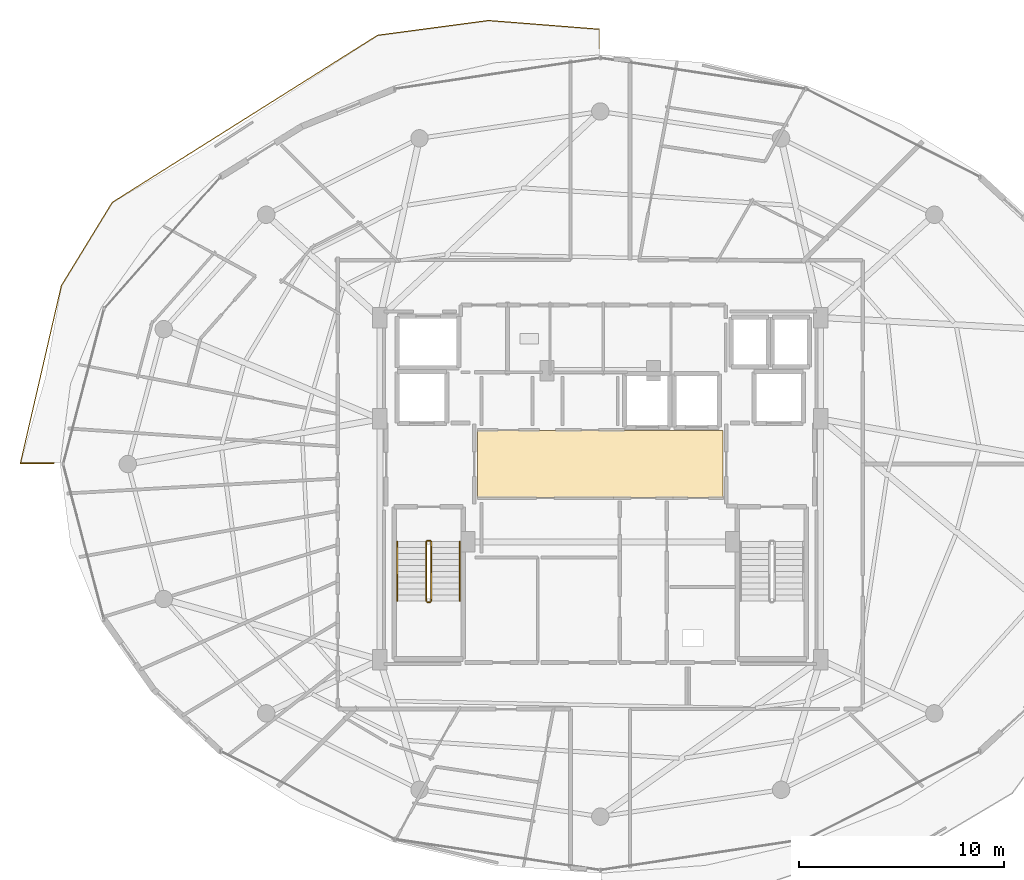
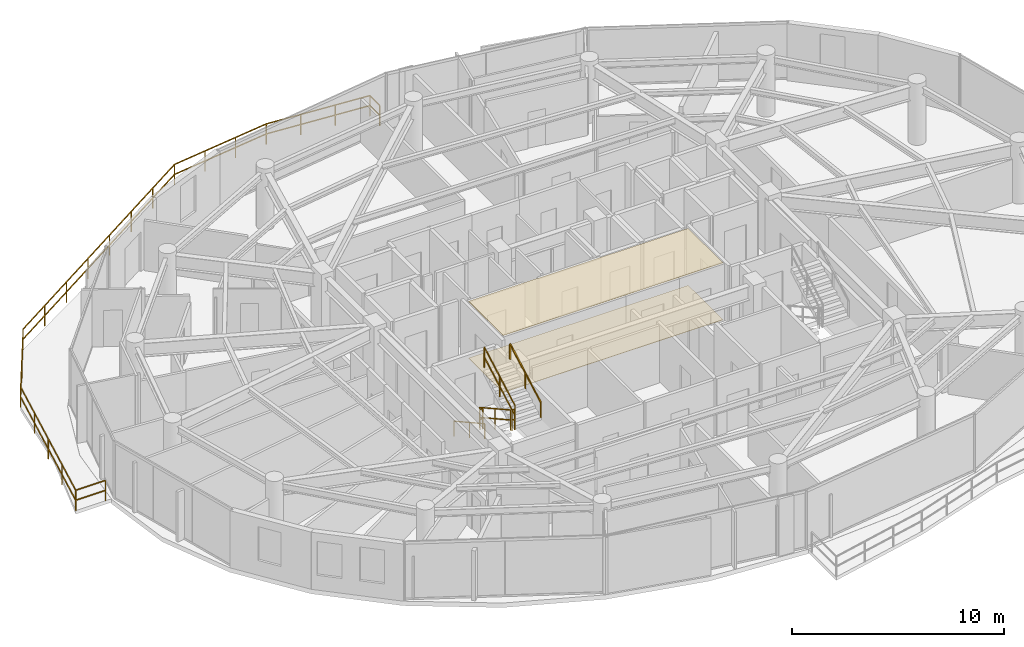
# One storey, part 26 of 29: 8 railings, 2 coverings.
"""IFC4 building model written with IfcOpenShell, lengths in metres."""

from ifc_helpers import new_model, si_unit, direction, frame, origin, origin_2d, place, context, subcontext, project, spatial, polyline, rectangle, outline, extrude, material, layer, layer_set, type_object, element, save


model = new_model("IFC4")

# Units and contexts
model_context = context("Model", 3, precision=1e-05, world=origin(), true_north=direction((0.0, 1.0)))
body_context = subcontext(model_context, "Body", "Model", "MODEL_VIEW")
ifc_project = project(units=[si_unit("LENGTHUNIT", "METRE"), si_unit("AREAUNIT", "SQUARE_METRE"), si_unit("VOLUMEUNIT", "CUBIC_METRE"), si_unit("PLANEANGLEUNIT", "RADIAN"), si_unit("MASSUNIT", "GRAM", prefix="KILO")], contexts=[model_context])

# Site, building, storey
site_placement = place(None, origin())
site = spatial("IfcSite", under=ifc_project, at=site_placement, CompositionType="ELEMENT")
building_placement = place(site_placement, origin())
building = spatial("IfcBuilding", under=site, at=building_placement, Name="Vorneva Point Tower", CompositionType="ELEMENT")
storey_placement = place(building_placement, frame((0.0, 0.0, 273.300048828125)))
storey = spatial("IfcBuildingStorey", under=building, at=storey_placement, Name="L74", CompositionType="ELEMENT", Elevation=273.300048828125)

# Coverings
ifc_material_1 = material(Name="Perforated acoustic aluminium baffle ceiling", Category="aluminium")
ifc_layer_1 = layer(ifc_material_1, 0.030029296875)
ifc_layer_set_1 = layer_set([ifc_layer_1], Name="Perforated acoustic aluminium baffle ceiling")
covering_type_1 = type_object("IfcCoveringType", Name="COV-CEIL-BAF", PredefinedType="CEILING", material=ifc_layer_set_1)
covering_1_placement = place(storey_placement, frame((0.0, 0.0, 3.260009765625)))
element("IfcCovering", 1, at=covering_1_placement, inside=storey, type_object=covering_type_1, Name="L74 Lift Lobby Acoustic Baffle Ceiling", PredefinedType="CEILING", context=body_context, shape_type="SweptSolid", body=[
    extrude(outline(polyline([(32.02001953125, 24.3701171875), (43.97998046875, 24.3701171875), (43.97998046875, 27.6298828125), (32.02001953125, 27.6298828125), (32.02001953125, 24.3701171875)])), origin(), (0.0, 0.0, 1.0), 0.034912109375),
])
ifc_material_2 = material(Name="Acoustic wool hospitality carpet", Category="textile")
ifc_layer_2 = layer(ifc_material_2, 0.01806640625)
ifc_layer_set_2 = layer_set([ifc_layer_2], Name="Acoustic wool hospitality carpet")
covering_type_2 = type_object("IfcCoveringType", Name="COV-FLR-CRP", PredefinedType="FLOORING", material=ifc_layer_set_2)
covering_2_placement = place(storey_placement, frame((0.0, 0.0, -0.005126953125)))
element("IfcCovering", 2, at=covering_2_placement, inside=storey, type_object=covering_type_2, Name="L74 Lift Lobby Floor Finish", PredefinedType="FLOORING", context=body_context, shape_type="SweptSolid", body=[
    extrude(outline(polyline([(32.02001953125, 24.3701171875), (43.97998046875, 24.3701171875), (43.97998046875, 27.6298828125), (32.02001953125, 27.6298828125), (32.02001953125, 24.3701171875)])), origin(), (0.0, 0.0, 1.0), 0.023193359375),
])

# Railings
ifc_material_3 = material(Name="Pale anodised aluminium", Category="aluminium")
railing_type_1 = type_object("IfcRailingType", Name="RL-BAL-1200", PredefinedType="BALUSTRADE", material=ifc_material_3)
railing_1_placement = place(storey_placement, frame((9.714599609375, 26.050048828125, 0.0)))
element("IfcRailing", 3, at=railing_1_placement, inside=storey, type_object=railing_type_1, Name="L74 Wave Balcony Balustrade NW.1", PredefinedType="BALUSTRADE", context=body_context, shape_type="SweptSolid", body=[
    extrude(rectangle(XDim=0.048095703125, YDim=0.048095703125, at=origin_2d()), frame((0.0, 0.0, 1.17578125), z_axis=(1.0, 0.0, 0.0), x_axis=(0.0, 1.0, 0.0)), (0.0, 0.0, 1.0), 1.619140625),
    extrude(rectangle(XDim=0.048095703125, YDim=0.048095703125, at=origin_2d()), frame((0.0, 0.0, 0.60009765625), z_axis=(1.0, 0.0, 0.0), x_axis=(0.0, 1.0, 0.0)), (0.0, 0.0, 1.0), 1.619140625),
    extrude(rectangle(XDim=0.0419921875, YDim=0.0419921875, at=origin_2d()), origin(), (0.0, 0.0, 1.0), 1.15185546875),
    extrude(rectangle(XDim=0.0419921875, YDim=0.0419921875, at=origin_2d()), frame((1.619140625, 0.0, 0.0)), (0.0, 0.0, 1.0), 1.15185546875),
])
railing_2_placement = place(storey_placement, frame((37.949951171875, 46.277099609375, 0.0)))
element("IfcRailing", 4, at=railing_2_placement, inside=storey, type_object=railing_type_1, Name="L74 Wave Balcony Balustrade NW.2", PredefinedType="BALUSTRADE", context=body_context, shape_type="SweptSolid", body=[
    extrude(rectangle(XDim=0.048095703125, YDim=0.048095703125, at=origin_2d()), frame((0.0, 0.0, 1.17578125), z_axis=(0.0, 1.0, 0.0), x_axis=(-1.0, 0.0, 0.0)), (0.0, 0.0, 1.0), 0.936767578125),
    extrude(rectangle(XDim=0.048095703125, YDim=0.048095703125, at=origin_2d()), frame((0.0, 0.0, 0.60009765625), z_axis=(0.0, 1.0, 0.0), x_axis=(-1.0, 0.0, 0.0)), (0.0, 0.0, 1.0), 0.936767578125),
    extrude(rectangle(XDim=0.048095703125, YDim=0.048095703125, at=origin_2d()), frame((0.0, 0.936767578125, 1.17578125), z_axis=(-0.996907445198, 0.07858464041, 0.0), x_axis=(-0.07858464041, -0.996907445198, 0.0)), (0.0, 0.0, 1.0), 5.418212890625),
    extrude(rectangle(XDim=0.048095703125, YDim=0.048095703125, at=origin_2d()), frame((0.0, 0.936767578125, 0.60009765625), z_axis=(-0.996907445198, 0.07858464041, 0.0), x_axis=(-0.07858464041, -0.996907445198, 0.0)), (0.0, 0.0, 1.0), 5.418212890625),
    extrude(rectangle(XDim=0.048095703125, YDim=0.048095703125, at=origin_2d()), frame((-5.4013671875, 1.362548828125, 1.17578125), z_axis=(-0.991224384092, -0.13219009184, 0.0), x_axis=(0.13219009184, -0.991224384092, 0.0)), (0.0, 0.0, 1.0), 5.45751953125),
    extrude(rectangle(XDim=0.048095703125, YDim=0.048095703125, at=origin_2d()), frame((-5.4013671875, 1.362548828125, 0.60009765625), z_axis=(-0.991224384092, -0.13219009184, 0.0), x_axis=(0.13219009184, -0.991224384092, 0.0)), (0.0, 0.0, 1.0), 5.45751953125),
    extrude(rectangle(XDim=0.048095703125, YDim=0.048095703125, at=origin_2d()), frame((-10.81103515625, 0.64111328125, 1.17578125), z_axis=(-0.8461672852, -0.532917372073, 0.0), x_axis=(0.532917372073, -0.8461672852, 0.0)), (0.0, 0.0, 1.0), 15.30078125),
    extrude(rectangle(XDim=0.048095703125, YDim=0.048095703125, at=origin_2d()), frame((-10.81103515625, 0.64111328125, 0.60009765625), z_axis=(-0.8461672852, -0.532917372073, 0.0), x_axis=(0.532917372073, -0.8461672852, 0.0)), (0.0, 0.0, 1.0), 15.30078125),
    extrude(rectangle(XDim=0.048095703125, YDim=0.048095703125, at=origin_2d()), frame((-23.758056640625, -7.512939453125, 1.17578125), z_axis=(-0.52144793487, -0.85328310145, 0.0), x_axis=(0.85328310145, -0.52144793487, 0.0)), (0.0, 0.0, 1.0), 4.76025390625),
    extrude(rectangle(XDim=0.048095703125, YDim=0.048095703125, at=origin_2d()), frame((-23.758056640625, -7.512939453125, 0.60009765625), z_axis=(-0.52144793487, -0.85328310145, 0.0), x_axis=(0.85328310145, -0.52144793487, 0.0)), (0.0, 0.0, 1.0), 4.76025390625),
    extrude(rectangle(XDim=0.048095703125, YDim=0.048095703125, at=origin_2d()), frame((-26.240234375, -11.57470703125, 1.17578125), z_axis=(-0.224690824874, -0.974430106892, 0.0), x_axis=(0.974430106892, -0.224690824874, 0.0)), (0.0, 0.0, 1.0), 8.87939453125),
    extrude(rectangle(XDim=0.048095703125, YDim=0.048095703125, at=origin_2d()), frame((-26.240234375, -11.57470703125, 0.60009765625), z_axis=(-0.224690824874, -0.974430106892, 0.0), x_axis=(0.974430106892, -0.224690824874, 0.0)), (0.0, 0.0, 1.0), 8.87939453125),
    extrude(rectangle(XDim=0.0419921875, YDim=0.0419921875, at=origin_2d()), origin(), (0.0, 0.0, 1.0), 1.15185546875),
    extrude(rectangle(XDim=0.0419921875, YDim=0.0419921875, at=origin_2d()), frame((0.0, 0.936767578125, 0.0)), (0.0, 0.0, 1.0), 1.15185546875),
    extrude(rectangle(XDim=0.0419921875, YDim=0.0419921875, at=origin_2d()), frame((-1.800537109375, 1.07861328125, 0.0)), (0.0, 0.0, 1.0), 1.15185546875),
    extrude(rectangle(XDim=0.0419921875, YDim=0.0419921875, at=origin_2d()), frame((-3.600830078125, 1.220703125, 0.0)), (0.0, 0.0, 1.0), 1.15185546875),
    extrude(rectangle(XDim=0.0419921875, YDim=0.0419921875, at=origin_2d()), frame((-5.4013671875, 1.362548828125, 0.0)), (0.0, 0.0, 1.0), 1.15185546875),
    extrude(rectangle(XDim=0.0419921875, YDim=0.0419921875, at=origin_2d()), frame((-7.20458984375, 1.1220703125, 0.0)), (0.0, 0.0, 1.0), 1.15185546875),
    extrude(rectangle(XDim=0.0419921875, YDim=0.0419921875, at=origin_2d()), frame((-9.0078125, 0.881591796875, 0.0)), (0.0, 0.0, 1.0), 1.15185546875),
    extrude(rectangle(XDim=0.0419921875, YDim=0.0419921875, at=origin_2d()), frame((-10.81103515625, 0.64111328125, 0.0)), (0.0, 0.0, 1.0), 1.15185546875),
    extrude(rectangle(XDim=0.0419921875, YDim=0.0419921875, at=origin_2d()), frame((-12.66064453125, -0.523681640625, 0.0)), (0.0, 0.0, 1.0), 1.15185546875),
    extrude(rectangle(XDim=0.0419921875, YDim=0.0419921875, at=origin_2d()), frame((-14.51025390625, -1.688720703125, 0.0)), (0.0, 0.0, 1.0), 1.15185546875),
    extrude(rectangle(XDim=0.0419921875, YDim=0.0419921875, at=origin_2d()), frame((-16.35986328125, -2.853515625, 0.0)), (0.0, 0.0, 1.0), 1.15185546875),
    extrude(rectangle(XDim=0.0419921875, YDim=0.0419921875, at=origin_2d()), frame((-18.209228515625, -4.018310546875, 0.0)), (0.0, 0.0, 1.0), 1.15185546875),
    extrude(rectangle(XDim=0.0419921875, YDim=0.0419921875, at=origin_2d()), frame((-20.058837890625, -5.18310546875, 0.0)), (0.0, 0.0, 1.0), 1.15185546875),
    extrude(rectangle(XDim=0.0419921875, YDim=0.0419921875, at=origin_2d()), frame((-21.908447265625, -6.34814453125, 0.0)), (0.0, 0.0, 1.0), 1.15185546875),
    extrude(rectangle(XDim=0.0419921875, YDim=0.0419921875, at=origin_2d()), frame((-23.758056640625, -7.512939453125, 0.0)), (0.0, 0.0, 1.0), 1.15185546875),
    extrude(rectangle(XDim=0.0419921875, YDim=0.0419921875, at=origin_2d()), frame((-24.9990234375, -9.5439453125, 0.0)), (0.0, 0.0, 1.0), 1.15185546875),
    extrude(rectangle(XDim=0.0419921875, YDim=0.0419921875, at=origin_2d()), frame((-26.240234375, -11.57470703125, 0.0)), (0.0, 0.0, 1.0), 1.15185546875),
    extrude(rectangle(XDim=0.0419921875, YDim=0.0419921875, at=origin_2d()), frame((-26.739013671875, -13.73779296875, 0.0)), (0.0, 0.0, 1.0), 1.15185546875),
    extrude(rectangle(XDim=0.0419921875, YDim=0.0419921875, at=origin_2d()), frame((-27.23779296875, -15.90087890625, 0.0)), (0.0, 0.0, 1.0), 1.15185546875),
    extrude(rectangle(XDim=0.0419921875, YDim=0.0419921875, at=origin_2d()), frame((-27.736572265625, -18.06396484375, 0.0)), (0.0, 0.0, 1.0), 1.15185546875),
    extrude(rectangle(XDim=0.0419921875, YDim=0.0419921875, at=origin_2d()), frame((-28.2353515625, -20.22705078125, 0.0)), (0.0, 0.0, 1.0), 1.15185546875),
])
ifc_material_4 = material(Name="Brushed stainless steel S304", Category="steel")
railing_type_2 = type_object("IfcRailingType", Name="RL-HND-920", PredefinedType="HANDRAIL", material=ifc_material_4)
railing_3_placement = place(storey_placement, frame((28.10009765625, 22.219970703125, 0.161376953125)))
element("IfcRailing", 5, at=railing_3_placement, inside=storey, type_object=railing_type_2, Name="L74 ST1 stair handrail 1", PredefinedType="HANDRAIL", context=body_context, shape_type="SweptSolid", body=[
    extrude(rectangle(XDim=0.048095703125, YDim=0.048095703125, at=origin_2d()), frame((0.0, 0.0, 0.8759765625), z_axis=(0.0, -0.873841303929, 0.486211245805), x_axis=(1.0, 0.0, 0.0)), (0.0, 0.0, 1.0), 3.318603515625),
    extrude(rectangle(XDim=0.0419921875, YDim=0.0419921875, at=origin_2d()), origin(), (0.0, 0.0, 1.0), 0.851806640625),
    extrude(rectangle(XDim=0.0419921875, YDim=0.0419921875, at=origin_2d()), frame((0.0, -1.449951171875, 0.806640625)), (0.0, 0.0, 1.0), 0.851806640625),
    extrude(rectangle(XDim=0.0419921875, YDim=0.0419921875, at=origin_2d()), frame((0.0, -2.89990234375, 1.613525390625)), (0.0, 0.0, 1.0), 0.851806640625),
])
railing_4_placement = place(storey_placement, frame((31.14990234375, 19.320068359375, 1.936279296875)))
element("IfcRailing", 6, at=railing_4_placement, inside=storey, type_object=railing_type_2, Name="L74 ST1 stair handrail 2", PredefinedType="HANDRAIL", context=body_context, shape_type="SweptSolid", body=[
    extrude(rectangle(XDim=0.048095703125, YDim=0.048095703125, at=origin_2d()), frame((0.0, 0.0, 0.8759765625), z_axis=(0.0, 0.873810046276, 0.486267419253), x_axis=(-1.0, 0.0, 0.0)), (0.0, 0.0, 1.0), 3.318603515625),
    extrude(rectangle(XDim=0.0419921875, YDim=0.0419921875, at=origin_2d()), origin(), (0.0, 0.0, 1.0), 0.851806640625),
    extrude(rectangle(XDim=0.0419921875, YDim=0.0419921875, at=origin_2d()), frame((0.0, 1.449951171875, 0.806884765625)), (0.0, 0.0, 1.0), 0.851806640625),
    extrude(rectangle(XDim=0.0419921875, YDim=0.0419921875, at=origin_2d()), frame((0.0, 2.89990234375, 1.61376953125)), (0.0, 0.0, 1.0), 0.851806640625),
])
railing_type_3 = type_object("IfcRailingType", Name="RL-STG-1100", PredefinedType="GUARDRAIL", material=ifc_material_4)
railing_5_placement = place(storey_placement, frame((29.5, 22.219970703125, 0.161376953125)))
element("IfcRailing", 7, at=railing_5_placement, inside=storey, type_object=railing_type_3, Name="L74 ST1 stair guard 1", PredefinedType="GUARDRAIL", context=body_context, shape_type="SweptSolid", body=[
    extrude(rectangle(XDim=0.048095703125, YDim=0.048095703125, at=origin_2d()), frame((0.0, 0.0, 1.17578125), z_axis=(0.0, -0.873841303929, 0.486211245805), x_axis=(1.0, 0.0, 0.0)), (0.0, 0.0, 1.0), 3.318603515625),
    extrude(rectangle(XDim=0.048095703125, YDim=0.048095703125, at=origin_2d()), frame((0.0, 0.0, 0.60009765625), z_axis=(0.0, -0.873841303929, 0.486211245805), x_axis=(1.0, 0.0, 0.0)), (0.0, 0.0, 1.0), 3.318603515625),
    extrude(rectangle(XDim=0.0419921875, YDim=0.0419921875, at=origin_2d()), origin(), (0.0, 0.0, 1.0), 1.15185546875),
    extrude(rectangle(XDim=0.0419921875, YDim=0.0419921875, at=origin_2d()), frame((0.0, -1.449951171875, 0.806640625)), (0.0, 0.0, 1.0), 1.15185546875),
    extrude(rectangle(XDim=0.0419921875, YDim=0.0419921875, at=origin_2d()), frame((0.0, -2.89990234375, 1.613525390625)), (0.0, 0.0, 1.0), 1.15185546875),
])
railing_6_placement = place(storey_placement, frame((29.550048828125, 19.27001953125, 1.77490234375)))
element("IfcRailing", 8, at=railing_6_placement, inside=storey, type_object=railing_type_3, Name="L74 ST1 stair guard 2", PredefinedType="GUARDRAIL", context=body_context, shape_type="SweptSolid", body=[
    extrude(rectangle(XDim=0.048095703125, YDim=0.048095703125, at=origin_2d()), frame((0.0, 0.0, 1.17578125), z_axis=(1.0, 0.0, 0.0), x_axis=(0.0, 1.0, 0.0)), (0.0, 0.0, 1.0), 0.14990234375),
    extrude(rectangle(XDim=0.048095703125, YDim=0.048095703125, at=origin_2d()), frame((0.0, 0.0, 0.60009765625), z_axis=(1.0, 0.0, 0.0), x_axis=(0.0, 1.0, 0.0)), (0.0, 0.0, 1.0), 0.14990234375),
    extrude(rectangle(XDim=0.0419921875, YDim=0.0419921875, at=origin_2d()), origin(), (0.0, 0.0, 1.0), 1.15185546875),
    extrude(rectangle(XDim=0.0419921875, YDim=0.0419921875, at=origin_2d()), frame((0.14990234375, 0.0, 0.0)), (0.0, 0.0, 1.0), 1.15185546875),
])
railing_7_placement = place(storey_placement, frame((29.75, 19.320068359375, 1.936279296875)))
element("IfcRailing", 9, at=railing_7_placement, inside=storey, type_object=railing_type_3, Name="L74 ST1 stair guard 3", PredefinedType="GUARDRAIL", context=body_context, shape_type="SweptSolid", body=[
    extrude(rectangle(XDim=0.048095703125, YDim=0.048095703125, at=origin_2d()), frame((0.0, 0.0, 1.17578125), z_axis=(0.0, 0.873810046276, 0.486267419253), x_axis=(-1.0, 0.0, 0.0)), (0.0, 0.0, 1.0), 3.318603515625),
    extrude(rectangle(XDim=0.048095703125, YDim=0.048095703125, at=origin_2d()), frame((0.0, 0.0, 0.60009765625), z_axis=(0.0, 0.873810046276, 0.486267419253), x_axis=(-1.0, 0.0, 0.0)), (0.0, 0.0, 1.0), 3.318603515625),
    extrude(rectangle(XDim=0.0419921875, YDim=0.0419921875, at=origin_2d()), origin(), (0.0, 0.0, 1.0), 1.15185546875),
    extrude(rectangle(XDim=0.0419921875, YDim=0.0419921875, at=origin_2d()), frame((0.0, 1.449951171875, 0.806884765625)), (0.0, 0.0, 1.0), 1.15185546875),
    extrude(rectangle(XDim=0.0419921875, YDim=0.0419921875, at=origin_2d()), frame((0.0, 2.89990234375, 1.61376953125)), (0.0, 0.0, 1.0), 1.15185546875),
])
railing_8_placement = place(storey_placement, frame((29.550048828125, 22.27001953125, 0.0)))
element("IfcRailing", 10, at=railing_8_placement, inside=storey, type_object=railing_type_3, Name="L74 ST1 stair guard 4", PredefinedType="GUARDRAIL", context=body_context, shape_type="SweptSolid", body=[
    extrude(rectangle(XDim=0.048095703125, YDim=0.048095703125, at=origin_2d()), frame((0.0, 0.0, 1.17578125), z_axis=(1.0, 0.0, 0.0), x_axis=(0.0, 1.0, 0.0)), (0.0, 0.0, 1.0), 0.14990234375),
    extrude(rectangle(XDim=0.048095703125, YDim=0.048095703125, at=origin_2d()), frame((0.0, 0.0, 0.60009765625), z_axis=(1.0, 0.0, 0.0), x_axis=(0.0, 1.0, 0.0)), (0.0, 0.0, 1.0), 0.14990234375),
    extrude(rectangle(XDim=0.0419921875, YDim=0.0419921875, at=origin_2d()), origin(), (0.0, 0.0, 1.0), 1.15185546875),
    extrude(rectangle(XDim=0.0419921875, YDim=0.0419921875, at=origin_2d()), frame((0.14990234375, 0.0, 0.0)), (0.0, 0.0, 1.0), 1.15185546875),
])

save(model, "model.ifc")
